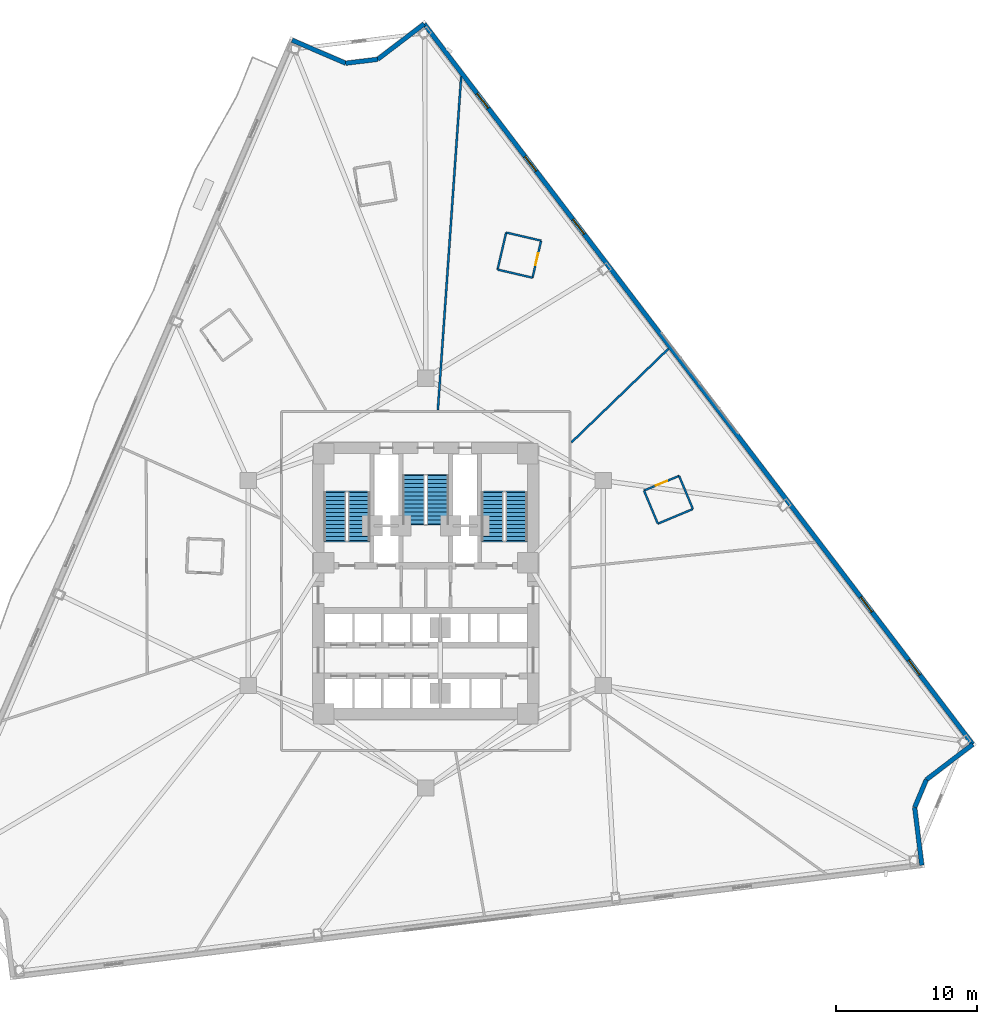
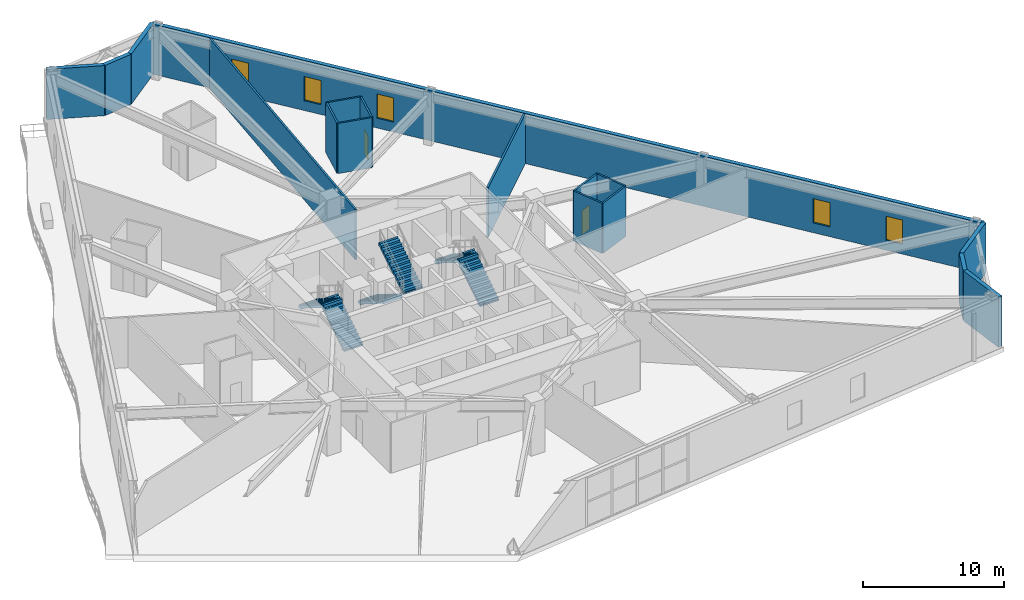
# One storey, part 15 of 21: 17 walls, 6 stair flights, 5 windows, 2 doors, 7 openings, 3 elements without a shape of their own.
"""IFC4 building model written with IfcOpenShell, lengths in metres."""

import ifcopenshell
import ifcopenshell.guid

model = None  # the IFC model being written
_history = None  # IfcOwnerHistory: only IFC2X3 demands one
_inside = {}  # id of a spatial element -> (the spatial element, [elements in it])
_under = {}  # id of a project, library or spatial element -> (it, [spatial elements below it])
_declared = {}  # id of a project -> (the project, [libraries it declares])
_typed = {}  # id of a type object -> (the type object, [elements of that type])
_made_of = {}  # id of a material, layer set ... -> (it, [elements and type objects made of it])


def new_model(schema):
    """Start an empty IFC model of exactly this schema.

    Asked for "IFC4X3", IfcOpenShell would pick the latest addendum, in which some entities
    have other attributes; the version numbers below select the first issue.
    IFC2X3 requires an IfcOwnerHistory on every rooted entity: one is made here for all.
    """
    global model, _history
    if schema == "IFC4X3":
        model = ifcopenshell.file(schema_version=(4, 3, 0, 0))
    else:
        model = ifcopenshell.file(schema=schema)
    _inside.clear()
    _under.clear()
    _declared.clear()
    _typed.clear()
    _made_of.clear()
    _history = None
    if model.schema == "IFC2X3":
        org = make("IfcOrganization", Name="unknown")
        user = make(
            "IfcPersonAndOrganization",
            ThePerson=make("IfcPerson", FamilyName="unknown"),
            TheOrganization=org,
        )
        app = make(
            "IfcApplication",
            ApplicationDeveloper=org,
            Version="unknown",
            ApplicationFullName="unknown",
            ApplicationIdentifier="unknown",
        )
        _history = make(
            "IfcOwnerHistory",
            OwningUser=user,
            OwningApplication=app,
            ChangeAction="ADDED",
            CreationDate=0,
        )
    return model


def make(cls, **values):
    """One entity of the class cls with the attributes given. An attribute that is None is left unset."""
    return model.create_entity(
        cls, **{name: value for name, value in values.items() if value is not None}
    )


def rooted(cls, **values):
    """An entity with a GlobalId (a new one), such as an element, a storey or a relation."""
    return make(cls, GlobalId=ifcopenshell.guid.new(), OwnerHistory=_history, **values)


def si_unit(unit_type, name, prefix=None):
    """IfcSIUnit, for example si_unit("LENGTHUNIT", "METRE", prefix="MILLI")."""
    return make("IfcSIUnit", UnitType=unit_type, Prefix=prefix, Name=name)


def assignment(units):
    """IfcUnitAssignment: the units of a project."""
    return None if units is None else make("IfcUnitAssignment", Units=units)


def point(xyz):
    """IfcCartesianPoint."""
    return None if xyz is None else make("IfcCartesianPoint", Coordinates=xyz)


def direction(xyz):
    """IfcDirection."""
    return None if xyz is None else make("IfcDirection", DirectionRatios=xyz)


def frame(location, z_axis=None, x_axis=None):
    """IfcAxis2Placement3D, a coordinate frame: its origin and axes. An axis left out is left unset."""
    return make(
        "IfcAxis2Placement3D",
        Location=point(location),
        Axis=direction(z_axis),
        RefDirection=direction(x_axis),
    )


def frame_2d(location, x_axis=None):
    """IfcAxis2Placement2D, a coordinate frame in the plane: its origin and x axis."""
    return make(
        "IfcAxis2Placement2D", Location=point(location), RefDirection=direction(x_axis)
    )


def origin():
    """The frame at (0, 0, 0) with its axes left unset."""
    return frame((0.0, 0.0, 0.0))


def place(relative_to, where):
    """IfcLocalPlacement: puts the frame where relative to a parent placement (None: the world)."""
    return make(
        "IfcLocalPlacement", PlacementRelTo=relative_to, RelativePlacement=where
    )


def context(
    kind, dimensions, precision=None, world=None, true_north=None, identifier=None
):
    """IfcGeometricRepresentationContext, for example the 3D "Model" context."""
    return make(
        "IfcGeometricRepresentationContext",
        ContextIdentifier=identifier,
        ContextType=kind,
        CoordinateSpaceDimension=dimensions,
        Precision=precision,
        WorldCoordinateSystem=world,
        TrueNorth=true_north,
    )


def subcontext(parent, identifier, kind, view, scale=None):
    """IfcGeometricRepresentationSubContext, for example "Body" below "Model"."""
    return make(
        "IfcGeometricRepresentationSubContext",
        ContextIdentifier=identifier,
        ContextType=kind,
        ParentContext=parent,
        TargetScale=scale,
        TargetView=view,
    )


def project(units=None, contexts=None):
    """IfcProject with its units and contexts."""
    return rooted(
        "IfcProject",
        Name="project",
        RepresentationContexts=contexts,
        UnitsInContext=assignment(units),
    )


def spatial(cls, under=None, at=None, **own):
    """A site, building, storey or space (cls), placed at a placement, below another one or the project."""
    s = rooted(cls, ObjectPlacement=at, **own)
    if under is not None:
        _under.setdefault(under.id(), (under, []))[1].append(s)
    return s


def polyline(points):
    """IfcPolyline through the points."""
    return make("IfcPolyline", Points=[point(p) for p in points])


def profile(cls, at=None, kind="AREA", **sizes):
    """A parametric profile (cls). Its sizes go by their IFC names, for example OverallWidth=200.0."""
    return make(cls, ProfileType=kind, Position=at, **sizes)


def rectangle(**sizes):
    """IfcRectangleProfileDef."""
    return profile("IfcRectangleProfileDef", **sizes)


def outline(outer, holes=None, kind="AREA"):
    """IfcArbitraryClosedProfileDef: a profile drawn as a closed curve; with holes, ...WithVoids."""
    if holes is None:
        return make("IfcArbitraryClosedProfileDef", ProfileType=kind, OuterCurve=outer)
    return make(
        "IfcArbitraryProfileDefWithVoids",
        ProfileType=kind,
        OuterCurve=outer,
        InnerCurves=holes,
    )


def extrude(swept, where, along, depth):
    """IfcExtrudedAreaSolid: the profile swept, set in the frame where, extruded along a direction by depth."""
    return make(
        "IfcExtrudedAreaSolid",
        SweptArea=swept,
        Position=where,
        ExtrudedDirection=direction(along),
        Depth=depth,
    )


def shape(context_of_items, identifier, shape_type, items):
    """IfcShapeRepresentation: the items that make up one representation, for example the "Body"."""
    return make(
        "IfcShapeRepresentation",
        ContextOfItems=context_of_items,
        RepresentationIdentifier=identifier,
        RepresentationType=shape_type,
        Items=items,
    )


def material(Name=None, Category=None):
    """IfcMaterial."""
    return make("IfcMaterial", Name=Name, Category=Category)


def layer(
    of_material, thickness, ventilated=None, Name=None, Category=None, Priority=None
):
    """IfcMaterialLayer: one layer of a wall or slab, of a material (None: an air gap)."""
    return make(
        "IfcMaterialLayer",
        Material=of_material,
        LayerThickness=thickness,
        IsVentilated=ventilated,
        Name=Name,
        Category=Category,
        Priority=Priority,
    )


def layer_set(layers, Name=None):
    """IfcMaterialLayerSet."""
    return make("IfcMaterialLayerSet", MaterialLayers=layers, LayerSetName=Name)


def made_of(thing, what):
    """Note that an element or type object is made of a material, layer set ...; save() writes the relation."""
    if what is not None:
        _made_of.setdefault(what.id(), (what, []))[1].append(thing)
    return thing


def type_object(cls, material=None, **own):
    """A type object (cls), such as IfcWallType, which elements share."""
    return made_of(rooted(cls, **own), material)


def element(
    cls,
    number,
    at=None,
    inside=None,
    cuts=None,
    type_object=None,
    material=None,
    context=None,
    identifier="Body",
    shape_type=None,
    held_by="IfcProductDefinitionShape",
    body=None,
    shapes=None,
    **own,
):
    """One element of the class cls, such as IfcWall. Its Tag is "e" and its number.

    at: its placement. inside: the storey or other place that contains it. cuts: it is an
    opening in that element (IfcRelVoidsElement). A single representation is given by context,
    identifier, shape_type and body (its items); several are given by shapes. held_by: the class
    of the entity that holds the representations. save() writes the other relations.
    """
    e = rooted(cls, Tag="e%d" % number, ObjectPlacement=at, **own)
    if body is not None:
        shapes = [shape(context, identifier, shape_type, body)]
    if shapes is not None:
        e.Representation = make(held_by, Representations=shapes)
    if inside is not None:
        _inside.setdefault(inside.id(), (inside, []))[1].append(e)
    if cuts is not None:
        rooted(
            "IfcRelVoidsElement", RelatingBuildingElement=cuts, RelatedOpeningElement=e
        )
    if type_object is not None:
        _typed.setdefault(type_object.id(), (type_object, []))[1].append(e)
    return made_of(e, material)


def fill(opening, filler):
    """IfcRelFillsElement: the door or window that sits in an opening."""
    return rooted(
        "IfcRelFillsElement",
        RelatingOpeningElement=opening,
        RelatedBuildingElement=filler,
    )


def aggregate(whole, parts):
    """IfcRelAggregates: a whole, such as a stair, and the parts it consists of."""
    return rooted("IfcRelAggregates", RelatingObject=whole, RelatedObjects=parts)


def save(model, path):
    """Write the relations noted so far, then the file.

    IfcRelAggregates (storeys below a building ...), IfcRelContainedInSpatialStructure (elements
    in a storey), IfcRelDefinesByType, IfcRelAssociatesMaterial and IfcRelDeclares: one each for
    every whole, place, type object, material and project.
    """
    for whole, parts in _under.values():
        aggregate(whole, parts)
    for where, things in _inside.values():
        rooted(
            "IfcRelContainedInSpatialStructure",
            RelatedElements=things,
            RelatingStructure=where,
        )
    for kind, things in _typed.values():
        rooted("IfcRelDefinesByType", RelatedObjects=things, RelatingType=kind)
    for what, things in _made_of.values():
        rooted("IfcRelAssociatesMaterial", RelatedObjects=things, RelatingMaterial=what)
    for by, libraries in _declared.values():
        rooted("IfcRelDeclares", RelatingContext=by, RelatedDefinitions=libraries)
    model.write(path)


model = new_model("IFC4")

# Units and contexts
model_context = context("Model", 3, precision=1e-05, world=origin(), true_north=direction((0.0, 1.0)))
body_context = subcontext(model_context, "Body", "Model", "MODEL_VIEW")
ifc_project = project(units=[si_unit("LENGTHUNIT", "METRE"), si_unit("AREAUNIT", "SQUARE_METRE"), si_unit("VOLUMEUNIT", "CUBIC_METRE"), si_unit("PLANEANGLEUNIT", "RADIAN"), si_unit("MASSUNIT", "GRAM", prefix="KILO")], contexts=[model_context])

# Site, building, storey
site_placement = place(None, origin())
site = spatial("IfcSite", under=ifc_project, at=site_placement, CompositionType="ELEMENT")
building_placement = place(site_placement, origin())
building = spatial("IfcBuilding", under=site, at=building_placement, Name="Apsidion Concourse Tower", CompositionType="ELEMENT")
storey_placement = place(building_placement, frame((0.0, 0.0, 62.39990234375)))
storey = spatial("IfcBuildingStorey", under=building, at=storey_placement, Name="L13", CompositionType="ELEMENT", Elevation=62.39990234375)

# Wall, openings, windows
ifc_material_1 = material(Name="Precast concrete C40/50", Category="concrete")
ifc_layer_1 = layer(ifc_material_1, 0.320068359375)
ifc_layer_set_1 = layer_set([ifc_layer_1], Name="Precast concrete C40/50")
wall_type_1 = type_object("IfcWallType", Name="WL-EXT-320", PredefinedType="STANDARD", material=ifc_layer_set_1)
wall_1_placement = place(storey_placement, frame((-0.115234375, 39.555419921875, 0.0), z_axis=(0.0, 0.0, 1.0), x_axis=(0.605877389385, -0.795558036243, 0.0)))
wall_1 = element("IfcWall", 1, at=wall_1_placement, inside=storey, type_object=wall_type_1, Name="L13 Precast Stone Facade Wall 01", PredefinedType="STANDARD", context=body_context, shape_type="SweptSolid", body=[
    extrude(rectangle(XDim=64.058349609375, YDim=0.320068359375, at=frame_2d((32.029296875, 0.0))), origin(), (0.0, 0.0, 1.0), 4.35009765625),
])
opening_1_placement = place(wall_1_placement, frame((6.17919921875, 0.0, 0.85009765625)))
opening_1 = element("IfcOpeningElement", 2, at=opening_1_placement, cuts=wall_1, Name="Opening WN-03", PredefinedType="OPENING", context=body_context, shape_type="SweptSolid", body=[
    extrude(rectangle(XDim=1.300048828125, YDim=2.10009765625, at=frame_2d((0.64990234375, 1.050048828125))), frame((0.0, 0.169921875, 0.0), z_axis=(0.0, -1.0, 0.0), x_axis=(1.0, 0.0, 0.0)), (0.0, 0.0, 1.0), 0.340087890625),
])
opening_2_placement = place(wall_1_placement, frame((11.779296875, 0.0, 0.85009765625)))
opening_2 = element("IfcOpeningElement", 3, at=opening_2_placement, cuts=wall_1, Name="Opening WN-03", PredefinedType="OPENING", context=body_context, shape_type="SweptSolid", body=[
    extrude(rectangle(XDim=1.300048828125, YDim=2.10009765625, at=frame_2d((0.64990234375, 1.050048828125))), frame((0.0, 0.169921875, 0.0), z_axis=(0.0, -1.0, 0.0), x_axis=(1.0, 0.0, 0.0)), (0.0, 0.0, 1.0), 0.340087890625),
])
opening_3_placement = place(wall_1_placement, frame((17.379150390625, 0.0, 0.85009765625)))
opening_3 = element("IfcOpeningElement", 4, at=opening_3_placement, cuts=wall_1, Name="Opening WN-03", PredefinedType="OPENING", context=body_context, shape_type="SweptSolid", body=[
    extrude(rectangle(XDim=1.300048828125, YDim=2.10009765625, at=frame_2d((0.64990234375, 1.050048828125))), frame((0.0, 0.169921875, 0.0), z_axis=(0.0, -1.0, 0.0), x_axis=(1.0, 0.0, 0.0)), (0.0, 0.0, 1.0), 0.340087890625),
])
opening_4_placement = place(wall_1_placement, frame((50.979248046875, 0.0, 0.85009765625)))
opening_4 = element("IfcOpeningElement", 5, at=opening_4_placement, cuts=wall_1, Name="Opening WN-03", PredefinedType="OPENING", context=body_context, shape_type="SweptSolid", body=[
    extrude(rectangle(XDim=1.300048828125, YDim=2.10009765625, at=frame_2d((0.64990234375, 1.050048828125))), frame((0.0, 0.169921875, 0.0), z_axis=(0.0, -1.0, 0.0), x_axis=(1.0, 0.0, 0.0)), (0.0, 0.0, 1.0), 0.340087890625),
])
opening_5_placement = place(wall_1_placement, frame((56.5791015625, 0.0, 0.85009765625)))
opening_5 = element("IfcOpeningElement", 6, at=opening_5_placement, cuts=wall_1, Name="Opening WN-03", PredefinedType="OPENING", context=body_context, shape_type="SweptSolid", body=[
    extrude(rectangle(XDim=1.300048828125, YDim=2.10009765625, at=frame_2d((0.64990234375, 1.050048828125))), frame((0.0, 0.169921875, 0.0), z_axis=(0.0, -1.0, 0.0), x_axis=(1.0, 0.0, 0.0)), (0.0, 0.0, 1.0), 0.340087890625),
])
ifc_material_2 = material(Name="Insulated laminated low-E glass", Category="glass")
window_type = type_object("IfcWindowType", Name="WN-HTL-1322", PartitioningType="SINGLE_PANEL", PredefinedType="WINDOW", material=ifc_material_2)
window_1_placement = place(opening_1_placement, origin())
window_1 = element("IfcWindow", 7, at=window_1_placement, inside=storey, type_object=window_type, Name="L13 Punched Facade Window 1-01", OverallHeight=2.10009765625, OverallWidth=1.300048828125, PartitioningType="SINGLE_PANEL", PredefinedType="WINDOW", context=body_context, shape_type="SweptSolid", body=[
    extrude(rectangle(XDim=1.300048828125, YDim=2.10009765625, at=frame_2d((0.64990234375, 1.050048828125))), frame((0.0, 0.030029296875, 0.0), z_axis=(0.0, -1.0, 0.0), x_axis=(1.0, 0.0, 0.0)), (0.0, 0.0, 1.0), 0.06005859375),
])
fill(opening_1, window_1)
window_2_placement = place(opening_2_placement, origin())
window_2 = element("IfcWindow", 8, at=window_2_placement, inside=storey, type_object=window_type, Name="L13 Punched Facade Window 1-02", OverallHeight=2.10009765625, OverallWidth=1.300048828125, PartitioningType="SINGLE_PANEL", PredefinedType="WINDOW", context=body_context, shape_type="SweptSolid", body=[
    extrude(rectangle(XDim=1.300048828125, YDim=2.10009765625, at=frame_2d((0.64990234375, 1.050048828125))), frame((0.0, 0.030029296875, 0.0), z_axis=(0.0, -1.0, 0.0), x_axis=(1.0, 0.0, 0.0)), (0.0, 0.0, 1.0), 0.06005859375),
])
fill(opening_2, window_2)
window_3_placement = place(opening_3_placement, origin())
window_3 = element("IfcWindow", 9, at=window_3_placement, inside=storey, type_object=window_type, Name="L13 Punched Facade Window 1-03", OverallHeight=2.10009765625, OverallWidth=1.300048828125, PartitioningType="SINGLE_PANEL", PredefinedType="WINDOW", context=body_context, shape_type="SweptSolid", body=[
    extrude(rectangle(XDim=1.300048828125, YDim=2.10009765625, at=frame_2d((0.64990234375, 1.050048828125))), frame((0.0, 0.030029296875, 0.0), z_axis=(0.0, -1.0, 0.0), x_axis=(1.0, 0.0, 0.0)), (0.0, 0.0, 1.0), 0.06005859375),
])
fill(opening_3, window_3)
window_4_placement = place(opening_4_placement, origin())
window_4 = element("IfcWindow", 10, at=window_4_placement, inside=storey, type_object=window_type, Name="L13 Punched Facade Window 1-09", OverallHeight=2.10009765625, OverallWidth=1.300048828125, PartitioningType="SINGLE_PANEL", PredefinedType="WINDOW", context=body_context, shape_type="SweptSolid", body=[
    extrude(rectangle(XDim=1.300048828125, YDim=2.10009765625, at=frame_2d((0.64990234375, 1.050048828125))), frame((0.0, 0.030029296875, 0.0), z_axis=(0.0, -1.0, 0.0), x_axis=(1.0, 0.0, 0.0)), (0.0, 0.0, 1.0), 0.06005859375),
])
fill(opening_4, window_4)
window_5_placement = place(opening_5_placement, origin())
window_5 = element("IfcWindow", 11, at=window_5_placement, inside=storey, type_object=window_type, Name="L13 Punched Facade Window 1-10", OverallHeight=2.10009765625, OverallWidth=1.300048828125, PartitioningType="SINGLE_PANEL", PredefinedType="WINDOW", context=body_context, shape_type="SweptSolid", body=[
    extrude(rectangle(XDim=1.300048828125, YDim=2.10009765625, at=frame_2d((0.64990234375, 1.050048828125))), frame((0.0, 0.030029296875, 0.0), z_axis=(0.0, -1.0, 0.0), x_axis=(1.0, 0.0, 0.0)), (0.0, 0.0, 1.0), 0.06005859375),
])
fill(opening_5, window_5)

# Walls
wall_2_placement = place(storey_placement, frame((38.6962890625, -11.40673828125, 0.0), z_axis=(0.0, 0.0, 1.0), x_axis=(-0.795549815011, -0.605888184269, 0.0)))
element("IfcWall", 12, at=wall_2_placement, inside=storey, type_object=wall_type_1, Name="L13 Precast Stone Facade Wall 02", PredefinedType="STANDARD", context=body_context, shape_type="SweptSolid", body=[
    extrude(rectangle(XDim=4.128173828125, YDim=0.320068359375, at=frame_2d((2.06396484375, 0.0))), origin(), (0.0, 0.0, 1.0), 4.35009765625),
])
wall_3_placement = place(storey_placement, frame((35.412109375, -13.907958984375, 0.0), z_axis=(0.0, 0.0, 1.0), x_axis=(-0.388344964834, -0.921514073841, 0.0)))
element("IfcWall", 13, at=wall_3_placement, inside=storey, type_object=wall_type_1, Name="L13 Precast Stone Facade Wall 03", PredefinedType="STANDARD", context=body_context, shape_type="SweptSolid", body=[
    extrude(rectangle(XDim=2.122314453125, YDim=0.320068359375, at=frame_2d((1.06103515625, 0.0))), origin(), (0.0, 0.0, 1.0), 4.35009765625),
])
wall_4_placement = place(storey_placement, frame((34.587890625, -15.86376953125, 0.0), z_axis=(0.0, 0.0, 1.0), x_axis=(0.12182895116, -0.992551110351, 0.0)))
element("IfcWall", 14, at=wall_4_placement, inside=storey, type_object=wall_type_1, Name="L13 Precast Stone Facade Wall 04", PredefinedType="STANDARD", context=body_context, shape_type="SweptSolid", body=[
    extrude(rectangle(XDim=4.128173828125, YDim=0.320068359375, at=frame_2d((2.06396484375, 0.0))), origin(), (0.0, 0.0, 1.0), 4.35009765625),
])
wall_5_placement = place(storey_placement, frame((-9.45751953125, 38.408203125, 0.0), z_axis=(0.0, 0.0, 1.0), x_axis=(0.918510754284, -0.395395996774, 0.0)))
element("IfcWall", 15, at=wall_5_placement, inside=storey, type_object=wall_type_1, Name="L13 Precast Stone Facade Wall 10", PredefinedType="STANDARD", context=body_context, shape_type="SweptSolid", body=[
    extrude(rectangle(XDim=4.12890625, YDim=0.320068359375, at=frame_2d((2.064453125, 0.0))), origin(), (0.0, 0.0, 1.0), 4.35009765625),
])
wall_6_placement = place(storey_placement, frame((-5.6650390625, 36.775634765625, 0.0), z_axis=(0.0, 0.0, 1.0), x_axis=(0.992547088217, 0.121861715369, 0.0)))
element("IfcWall", 16, at=wall_6_placement, inside=storey, type_object=wall_type_1, Name="L13 Precast Stone Facade Wall 11", PredefinedType="STANDARD", context=body_context, shape_type="SweptSolid", body=[
    extrude(rectangle(XDim=2.281982421875, YDim=0.320068359375, at=frame_2d((1.14111328125, 0.0))), origin(), (0.0, 0.0, 1.0), 4.35009765625),
])
wall_7_placement = place(storey_placement, frame((-3.400146484375, 37.0537109375, 0.0), z_axis=(0.0, 0.0, 1.0), x_axis=(0.795557931523, 0.605877526891, 0.0)))
element("IfcWall", 17, at=wall_7_placement, inside=storey, type_object=wall_type_1, Name="L13 Precast Stone Facade Wall 12", PredefinedType="STANDARD", context=body_context, shape_type="SweptSolid", body=[
    extrude(rectangle(XDim=4.129150390625, YDim=0.320068359375, at=frame_2d((2.064453125, 0.0))), origin(), (0.0, 0.0, 1.0), 4.35009765625),
])
ifc_material_3 = material(Name="Gypsum plasterboard partition")
ifc_layer_2 = layer(ifc_material_3, 0.139892578125)
ifc_layer_set_2 = layer_set([ifc_layer_2], Name="Gypsum plasterboard partition")
wall_type_2 = type_object("IfcWallType", Name="WL-INT-PAR-140", PredefinedType="PARTITIONING", material=ifc_layer_set_2)
wall_8_placement = place(storey_placement, frame((16.418701171875, 4.20068359375, 0.0), z_axis=(0.0, 0.0, 1.0), x_axis=(0.922509383508, 0.385974658934, 0.0)))
element("IfcWall", 18, at=wall_8_placement, inside=storey, type_object=wall_type_2, Name="L13 Interior Partition WL-L13-POD-ENS05-S1", PredefinedType="PARTITIONING", context=body_context, shape_type="SweptSolid", body=[
    extrude(rectangle(XDim=2.690185546875, YDim=0.139892578125, at=frame_2d((1.34521484375, 0.0))), origin(), (0.0, 0.0, 1.0), 4.35009765625),
])
wall_9_placement = place(storey_placement, frame((18.900390625, 5.239013671875, 0.0), z_axis=(0.0, 0.0, 1.0), x_axis=(-0.385945960426, 0.922521390338, 0.0)))
element("IfcWall", 19, at=wall_9_placement, inside=storey, type_object=wall_type_2, Name="L13 Interior Partition WL-L13-POD-ENS05-S2", PredefinedType="PARTITIONING", context=body_context, shape_type="SweptSolid", body=[
    extrude(rectangle(XDim=2.539794921875, YDim=0.139892578125, at=frame_2d((1.27001953125, 0.0))), origin(), (0.0, 0.0, 1.0), 4.35009765625),
])

# Wall, opening, door
wall_10_placement = place(storey_placement, frame((17.920166015625, 7.58203125, 0.0), z_axis=(0.0, 0.0, 1.0), x_axis=(-0.92257400344, -0.385820175959, 0.0)))
wall_10 = element("IfcWall", 20, at=wall_10_placement, inside=storey, type_object=wall_type_2, Name="L13 Interior Partition WL-L13-POD-ENS05-S3", PredefinedType="PARTITIONING", context=body_context, shape_type="SweptSolid", body=[
    extrude(rectangle(XDim=2.68994140625, YDim=0.139892578125, at=frame_2d((1.344970703125, 0.0))), origin(), (0.0, 0.0, 1.0), 4.35009765625),
])
opening_6_placement = place(wall_10_placement, frame((0.905029296875, 0.0, 0.0)))
opening_6 = element("IfcOpeningElement", 21, at=opening_6_placement, cuts=wall_10, Name="Opening D-03R", PredefinedType="OPENING", context=body_context, shape_type="SweptSolid", body=[
    extrude(rectangle(XDim=0.8798828125, YDim=2.10009765625, at=frame_2d((0.43994140625, 1.050048828125))), frame((0.0, 0.080078125, 0.0), z_axis=(0.0, -1.0, 0.0), x_axis=(1.0, 0.0, 0.0)), (0.0, 0.0, 1.0), 0.159912109375),
])
ifc_material_4 = material(Name="Anodised aluminium EN AW-6063 T6", Category="aluminium")
door_type_1 = type_object("IfcDoorType", Name="DR-INT-D03R", OperationType="SINGLE_SWING_RIGHT", PredefinedType="DOOR", material=ifc_material_4)
door_1_placement = place(opening_6_placement, origin())
door_1 = element("IfcDoor", 22, at=door_1_placement, inside=storey, type_object=door_type_1, Name="L13 Guest En-Suite Bathroom Door ENS05", OperationType="SINGLE_SWING_RIGHT", OverallHeight=2.10009765625, OverallWidth=0.8798828125, PredefinedType="DOOR", context=body_context, shape_type="SweptSolid", body=[
    extrude(rectangle(XDim=0.8798828125, YDim=2.10009765625, at=frame_2d((0.43994140625, 1.050048828125))), frame((0.0, 0.02490234375, 0.0), z_axis=(0.0, -1.0, 0.0), x_axis=(1.0, 0.0, 0.0)), (0.0, 0.0, 1.0), 0.050048828125),
])
fill(opening_6, door_1)

# Wall
wall_11_placement = place(storey_placement, frame((15.4384765625, 6.544189453125, 0.0), z_axis=(0.0, 0.0, 1.0), x_axis=(0.385877521433, -0.922550019486, 0.0)))
element("IfcWall", 23, at=wall_11_placement, inside=storey, type_object=wall_type_2, Name="L13 Interior Partition WL-L13-POD-ENS05-S4", PredefinedType="PARTITIONING", context=body_context, shape_type="SweptSolid", body=[
    extrude(rectangle(XDim=2.540283203125, YDim=0.139892578125, at=frame_2d((1.27001953125, 0.0))), origin(), (0.0, 0.0, 1.0), 4.35009765625),
])

# Wall, opening, door
wall_12_placement = place(storey_placement, frame((7.55224609375, 21.60400390625, 0.0), z_axis=(0.0, 0.0, 1.0), x_axis=(0.226615610421, 0.973984273545, 0.0)))
wall_12 = element("IfcWall", 24, at=wall_12_placement, inside=storey, type_object=wall_type_2, Name="L13 Interior Partition WL-L13-POD-ENS06-S1", PredefinedType="PARTITIONING", context=body_context, shape_type="SweptSolid", body=[
    extrude(rectangle(XDim=2.690185546875, YDim=0.139892578125, at=frame_2d((1.34521484375, 0.0))), origin(), (0.0, 0.0, 1.0), 4.35009765625),
])
opening_7_placement = place(wall_12_placement, frame((0.905029296875, 0.0, 0.0)))
opening_7 = element("IfcOpeningElement", 25, at=opening_7_placement, cuts=wall_12, Name="Opening D-03L", PredefinedType="OPENING", context=body_context, shape_type="SweptSolid", body=[
    extrude(rectangle(XDim=0.8798828125, YDim=2.10009765625, at=frame_2d((0.43994140625, 1.050048828125))), frame((0.0, 0.080078125, 0.0), z_axis=(0.0, -1.0, 0.0), x_axis=(1.0, 0.0, 0.0)), (0.0, 0.0, 1.0), 0.159912109375),
])
door_type_2 = type_object("IfcDoorType", Name="DR-INT-D03L", OperationType="SINGLE_SWING_LEFT", PredefinedType="DOOR", material=ifc_material_4)
door_2_placement = place(opening_7_placement, origin())
door_2 = element("IfcDoor", 26, at=door_2_placement, inside=storey, type_object=door_type_2, Name="L13 Guest En-Suite Bathroom Door ENS06", OperationType="SINGLE_SWING_LEFT", OverallHeight=2.10009765625, OverallWidth=0.8798828125, PredefinedType="DOOR", context=body_context, shape_type="SweptSolid", body=[
    extrude(rectangle(XDim=0.8798828125, YDim=2.10009765625, at=frame_2d((0.43994140625, 1.050048828125))), frame((0.0, 0.02490234375, 0.0), z_axis=(0.0, -1.0, 0.0), x_axis=(1.0, 0.0, 0.0)), (0.0, 0.0, 1.0), 0.050048828125),
])
fill(opening_7, door_2)

# Walls
wall_13_placement = place(storey_placement, frame((8.161865234375, 24.22412109375, 0.0), z_axis=(0.0, 0.0, 1.0), x_axis=(-0.973976454563, 0.226649213447, 0.0)))
element("IfcWall", 27, at=wall_13_placement, inside=storey, type_object=wall_type_2, Name="L13 Interior Partition WL-L13-POD-ENS06-S2", PredefinedType="PARTITIONING", context=body_context, shape_type="SweptSolid", body=[
    extrude(rectangle(XDim=2.5400390625, YDim=0.139892578125, at=frame_2d((1.27001953125, 0.0))), origin(), (0.0, 0.0, 1.0), 4.35009765625),
])
wall_14_placement = place(storey_placement, frame((5.68798828125, 24.7998046875, 0.0), z_axis=(0.0, 0.0, 1.0), x_axis=(-0.226615610421, -0.973984273545, 0.0)))
element("IfcWall", 28, at=wall_14_placement, inside=storey, type_object=wall_type_2, Name="L13 Interior Partition WL-L13-POD-ENS06-S3", PredefinedType="PARTITIONING", context=body_context, shape_type="SweptSolid", body=[
    extrude(rectangle(XDim=2.690185546875, YDim=0.139892578125, at=frame_2d((1.34521484375, 0.0))), origin(), (0.0, 0.0, 1.0), 4.35009765625),
])
wall_15_placement = place(storey_placement, frame((5.078369140625, 22.1796875, 0.0), z_axis=(0.0, 0.0, 1.0), x_axis=(0.973976454563, -0.226649213447, 0.0)))
element("IfcWall", 29, at=wall_15_placement, inside=storey, type_object=wall_type_2, Name="L13 Interior Partition WL-L13-POD-ENS06-S4", PredefinedType="PARTITIONING", context=body_context, shape_type="SweptSolid", body=[
    extrude(rectangle(XDim=2.5400390625, YDim=0.139892578125, at=frame_2d((1.27001953125, 0.0))), origin(), (0.0, 0.0, 1.0), 4.35009765625),
])
ifc_layer_3 = layer(ifc_material_3, 0.14990234375)
ifc_layer_set_3 = layer_set([ifc_layer_3], Name="Gypsum plasterboard partition")
wall_type_3 = type_object("IfcWallType", Name="WL-INT-PAR-150", PredefinedType="PARTITIONING", material=ifc_layer_set_3)
wall_16_placement = place(storey_placement, frame((10.304931640625, 9.951416015625, 0.0), z_axis=(0.0, 0.0, 1.0), x_axis=(0.719350731968, 0.694647050247, 0.0)))
element("IfcWall", 30, at=wall_16_placement, inside=storey, type_object=wall_type_3, Name="L13 Interior Partition WL-L13-RAD-02-1", PredefinedType="PARTITIONING", context=body_context, shape_type="SweptSolid", body=[
    extrude(rectangle(XDim=9.536865234375, YDim=0.14990234375, at=frame_2d((4.7685546875, 0.0))), origin(), (0.0, 0.0, 1.0), 4.35009765625),
])
wall_17_placement = place(storey_placement, frame((0.85693359375, 12.2548828125, 0.0), z_axis=(0.0, 0.0, 1.0), x_axis=(0.069754890423, 0.997564160975, 0.0)))
element("IfcWall", 31, at=wall_17_placement, inside=storey, type_object=wall_type_3, Name="L13 Interior Partition WL-L13-RAD-03-1", PredefinedType="PARTITIONING", context=body_context, shape_type="SweptSolid", body=[
    extrude(rectangle(XDim=23.62841796875, YDim=0.14990234375, at=frame_2d((11.814208984375, 0.0))), origin(), (0.0, 0.0, 1.0), 4.35009765625),
])

# Stair, stair flights
stair_type = type_object("IfcStairType", Name="ST-DL-1550", PredefinedType="HALF_TURN_STAIR", material=ifc_material_1)
stair_1_placement = place(storey_placement, origin())
stair_1 = element("IfcStair", 32, at=stair_1_placement, inside=storey, type_object=stair_type, Name="L13 Protected Core Exit Stair ST1", PredefinedType="HALF_TURN_STAIR")
stair_flight_type = type_object("IfcStairFlightType", Name="SFL-RC-1550", PredefinedType="STRAIGHT", material=ifc_material_1)
stair_flight_1_placement = place(storey_placement, frame((-4.72509765625, 3.0, 0.0), z_axis=(0.0, 0.0, 1.0), x_axis=(0.0, 1.0, 0.0)))
stair_flight_1 = element("IfcStairFlight", 33, at=stair_flight_1_placement, type_object=stair_flight_type, Name="ST1 flight 1", NumberOfRisers=13, NumberOfTreads=12, PredefinedType="STRAIGHT", RiserHeight=0.176923077, TreadLength=0.285, context=body_context, shape_type="SweptSolid", body=[
    extrude(outline(polyline([(-0.080078125, -0.1123046875), (-0.080078125, 0.0), (0.0, 0.0), (0.0, 0.177001953125), (0.284912109375, 0.177001953125), (0.284912109375, 0.353759765625), (0.570068359375, 0.353759765625), (0.570068359375, 0.53076171875), (0.85498046875, 0.53076171875), (0.85498046875, 0.707763671875), (1.139892578125, 0.707763671875), (1.139892578125, 0.884521484375), (1.425048828125, 0.884521484375), (1.425048828125, 1.0615234375), (1.7099609375, 1.0615234375), (1.7099609375, 1.238525390625), (1.9951171875, 1.238525390625), (1.9951171875, 1.415283203125), (2.280029296875, 1.415283203125), (2.280029296875, 1.59228515625), (2.56494140625, 1.59228515625), (2.56494140625, 1.769287109375), (2.85009765625, 1.769287109375), (2.85009765625, 1.946044921875), (3.135009765625, 1.946044921875), (3.135009765625, 2.123046875), (3.419921875, 2.123046875), (3.419921875, 2.300048828125), (3.5, 2.21142578125), (3.5, 1.946533203125), (3.419921875, 1.946533203125), (0.2841796875, 0.0), (0.2841796875, -0.1123046875), (-0.080078125, -0.1123046875)])), frame((0.0, 0.77490234375, 0.0), z_axis=(0.0, -1.0, 0.0), x_axis=(1.0, 0.0, 0.0)), (0.0, 0.0, 1.0), 1.550048828125),
])
stair_flight_2_placement = place(storey_placement, frame((-6.425048828125, 6.419921875, 2.300048828125), z_axis=(0.0, 0.0, 1.0), x_axis=(0.0, -1.0, 0.0)))
stair_flight_2 = element("IfcStairFlight", 34, at=stair_flight_2_placement, type_object=stair_flight_type, Name="ST1 flight 2", NumberOfRisers=13, NumberOfTreads=12, PredefinedType="STRAIGHT", RiserHeight=0.176923077, TreadLength=0.285, context=body_context, shape_type="SweptSolid", body=[
    extrude(outline(polyline([(-0.080078125, -0.1123046875), (-0.080078125, 0.0), (0.0, 0.0), (0.0, 0.177001953125), (0.284912109375, 0.177001953125), (0.284912109375, 0.353759765625), (0.570068359375, 0.353759765625), (0.570068359375, 0.53076171875), (0.85498046875, 0.53076171875), (0.85498046875, 0.707763671875), (1.139892578125, 0.707763671875), (1.139892578125, 0.884521484375), (1.425048828125, 0.884521484375), (1.425048828125, 1.0615234375), (1.7099609375, 1.0615234375), (1.7099609375, 1.238525390625), (1.9951171875, 1.238525390625), (1.9951171875, 1.415283203125), (2.280029296875, 1.415283203125), (2.280029296875, 1.59228515625), (2.56494140625, 1.59228515625), (2.56494140625, 1.769287109375), (2.85009765625, 1.769287109375), (2.85009765625, 1.946044921875), (3.135009765625, 1.946044921875), (3.135009765625, 2.123046875), (3.419921875, 2.123046875), (3.419921875, 2.300048828125), (3.5, 2.21142578125), (3.5, 1.946533203125), (3.419921875, 1.946533203125), (0.2841796875, 0.0), (0.2841796875, -0.1123046875), (-0.080078125, -0.1123046875)])), frame((0.0, 0.77490234375, 0.0), z_axis=(0.0, -1.0, 0.0), x_axis=(1.0, 0.0, 0.0)), (0.0, 0.0, 1.0), 1.550048828125),
])
aggregate(stair_1, [stair_flight_1, stair_flight_2])

stair_2_placement = place(storey_placement, origin())
stair_2 = element("IfcStair", 35, at=stair_2_placement, inside=storey, type_object=stair_type, Name="L13 Protected Core Exit Stair ST2", PredefinedType="HALF_TURN_STAIR")
stair_flight_3_placement = place(storey_placement, frame((6.425048828125, 3.0, 0.0), z_axis=(0.0, 0.0, 1.0), x_axis=(0.0, 1.0, 0.0)))
stair_flight_3 = element("IfcStairFlight", 36, at=stair_flight_3_placement, type_object=stair_flight_type, Name="ST2 flight 1", NumberOfRisers=13, NumberOfTreads=12, PredefinedType="STRAIGHT", RiserHeight=0.176923077, TreadLength=0.285, context=body_context, shape_type="SweptSolid", body=[
    extrude(outline(polyline([(-0.080078125, -0.1123046875), (-0.080078125, 0.0), (0.0, 0.0), (0.0, 0.177001953125), (0.284912109375, 0.177001953125), (0.284912109375, 0.353759765625), (0.570068359375, 0.353759765625), (0.570068359375, 0.53076171875), (0.85498046875, 0.53076171875), (0.85498046875, 0.707763671875), (1.139892578125, 0.707763671875), (1.139892578125, 0.884521484375), (1.425048828125, 0.884521484375), (1.425048828125, 1.0615234375), (1.7099609375, 1.0615234375), (1.7099609375, 1.238525390625), (1.9951171875, 1.238525390625), (1.9951171875, 1.415283203125), (2.280029296875, 1.415283203125), (2.280029296875, 1.59228515625), (2.56494140625, 1.59228515625), (2.56494140625, 1.769287109375), (2.85009765625, 1.769287109375), (2.85009765625, 1.946044921875), (3.135009765625, 1.946044921875), (3.135009765625, 2.123046875), (3.419921875, 2.123046875), (3.419921875, 2.300048828125), (3.5, 2.21142578125), (3.5, 1.946533203125), (3.419921875, 1.946533203125), (0.2841796875, 0.0), (0.2841796875, -0.1123046875), (-0.080078125, -0.1123046875)])), frame((0.0, 0.77490234375, 0.0), z_axis=(0.0, -1.0, 0.0), x_axis=(1.0, 0.0, 0.0)), (0.0, 0.0, 1.0), 1.550048828125),
])
stair_flight_4_placement = place(storey_placement, frame((4.72509765625, 6.419921875, 2.300048828125), z_axis=(0.0, 0.0, 1.0), x_axis=(0.0, -1.0, 0.0)))
stair_flight_4 = element("IfcStairFlight", 37, at=stair_flight_4_placement, type_object=stair_flight_type, Name="ST2 flight 2", NumberOfRisers=13, NumberOfTreads=12, PredefinedType="STRAIGHT", RiserHeight=0.176923077, TreadLength=0.285, context=body_context, shape_type="SweptSolid", body=[
    extrude(outline(polyline([(-0.080078125, -0.1123046875), (-0.080078125, 0.0), (0.0, 0.0), (0.0, 0.177001953125), (0.284912109375, 0.177001953125), (0.284912109375, 0.353759765625), (0.570068359375, 0.353759765625), (0.570068359375, 0.53076171875), (0.85498046875, 0.53076171875), (0.85498046875, 0.707763671875), (1.139892578125, 0.707763671875), (1.139892578125, 0.884521484375), (1.425048828125, 0.884521484375), (1.425048828125, 1.0615234375), (1.7099609375, 1.0615234375), (1.7099609375, 1.238525390625), (1.9951171875, 1.238525390625), (1.9951171875, 1.415283203125), (2.280029296875, 1.415283203125), (2.280029296875, 1.59228515625), (2.56494140625, 1.59228515625), (2.56494140625, 1.769287109375), (2.85009765625, 1.769287109375), (2.85009765625, 1.946044921875), (3.135009765625, 1.946044921875), (3.135009765625, 2.123046875), (3.419921875, 2.123046875), (3.419921875, 2.300048828125), (3.5, 2.21142578125), (3.5, 1.946533203125), (3.419921875, 1.946533203125), (0.2841796875, 0.0), (0.2841796875, -0.1123046875), (-0.080078125, -0.1123046875)])), frame((0.0, 0.77490234375, 0.0), z_axis=(0.0, -1.0, 0.0), x_axis=(1.0, 0.0, 0.0)), (0.0, 0.0, 1.0), 1.550048828125),
])
aggregate(stair_2, [stair_flight_3, stair_flight_4])

stair_3_placement = place(storey_placement, origin())
stair_3 = element("IfcStair", 38, at=stair_3_placement, inside=storey, type_object=stair_type, Name="L13 Protected Core Exit Stair ST3", PredefinedType="HALF_TURN_STAIR")
stair_flight_5_placement = place(storey_placement, frame((-0.85009765625, 7.60009765625, 0.0), z_axis=(0.0, 0.0, 1.0), x_axis=(0.0, -1.0, 0.0)))
stair_flight_5 = element("IfcStairFlight", 39, at=stair_flight_5_placement, type_object=stair_flight_type, Name="ST3 flight 1", NumberOfRisers=13, NumberOfTreads=12, PredefinedType="STRAIGHT", RiserHeight=0.176923077, TreadLength=0.285, context=body_context, shape_type="SweptSolid", body=[
    extrude(outline(polyline([(-0.080078125, -0.1123046875), (-0.080078125, 0.0), (0.0, 0.0), (0.0, 0.177001953125), (0.284912109375, 0.177001953125), (0.284912109375, 0.353759765625), (0.570068359375, 0.353759765625), (0.570068359375, 0.53076171875), (0.85498046875, 0.53076171875), (0.85498046875, 0.707763671875), (1.139892578125, 0.707763671875), (1.139892578125, 0.884521484375), (1.425048828125, 0.884521484375), (1.425048828125, 1.0615234375), (1.7099609375, 1.0615234375), (1.7099609375, 1.238525390625), (1.9951171875, 1.238525390625), (1.9951171875, 1.415283203125), (2.280029296875, 1.415283203125), (2.280029296875, 1.59228515625), (2.56494140625, 1.59228515625), (2.56494140625, 1.769287109375), (2.85009765625, 1.769287109375), (2.85009765625, 1.946044921875), (3.135009765625, 1.946044921875), (3.135009765625, 2.123046875), (3.419921875, 2.123046875), (3.419921875, 2.300048828125), (3.5, 2.21142578125), (3.5, 1.946533203125), (3.419921875, 1.946533203125), (0.2841796875, 0.0), (0.2841796875, -0.1123046875), (-0.080078125, -0.1123046875)])), frame((0.0, 0.77490234375, 0.0), z_axis=(0.0, -1.0, 0.0), x_axis=(1.0, 0.0, 0.0)), (0.0, 0.0, 1.0), 1.550048828125),
])
stair_flight_6_placement = place(storey_placement, frame((0.85009765625, 4.179931640625, 2.300048828125), z_axis=(0.0, 0.0, 1.0), x_axis=(0.0, 1.0, 0.0)))
stair_flight_6 = element("IfcStairFlight", 40, at=stair_flight_6_placement, type_object=stair_flight_type, Name="ST3 flight 2", NumberOfRisers=13, NumberOfTreads=12, PredefinedType="STRAIGHT", RiserHeight=0.176923077, TreadLength=0.285, context=body_context, shape_type="SweptSolid", body=[
    extrude(outline(polyline([(-0.080078125, -0.1123046875), (-0.080078125, 0.0), (0.0, 0.0), (0.0, 0.177001953125), (0.284912109375, 0.177001953125), (0.284912109375, 0.353759765625), (0.570068359375, 0.353759765625), (0.570068359375, 0.53076171875), (0.85498046875, 0.53076171875), (0.85498046875, 0.707763671875), (1.139892578125, 0.707763671875), (1.139892578125, 0.884521484375), (1.425048828125, 0.884521484375), (1.425048828125, 1.0615234375), (1.7099609375, 1.0615234375), (1.7099609375, 1.238525390625), (1.9951171875, 1.238525390625), (1.9951171875, 1.415283203125), (2.280029296875, 1.415283203125), (2.280029296875, 1.59228515625), (2.56494140625, 1.59228515625), (2.56494140625, 1.769287109375), (2.85009765625, 1.769287109375), (2.85009765625, 1.946044921875), (3.135009765625, 1.946044921875), (3.135009765625, 2.123046875), (3.419921875, 2.123046875), (3.419921875, 2.300048828125), (3.5, 2.21142578125), (3.5, 1.946533203125), (3.419921875, 1.946533203125), (0.2841796875, 0.0), (0.2841796875, -0.1123046875), (-0.080078125, -0.1123046875)])), frame((0.0, 0.77490234375, 0.0), z_axis=(0.0, -1.0, 0.0), x_axis=(1.0, 0.0, 0.0)), (0.0, 0.0, 1.0), 1.550048828125),
])
aggregate(stair_3, [stair_flight_5, stair_flight_6])

save(model, "model.ifc")
